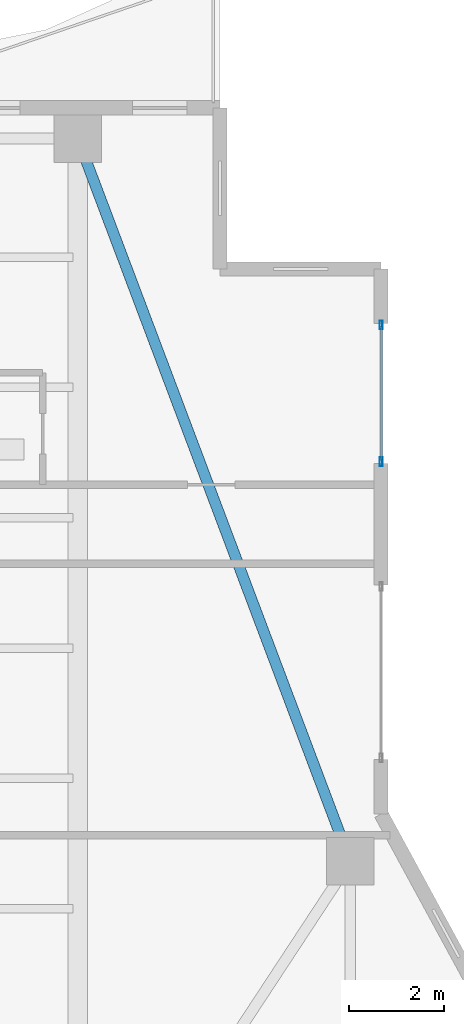
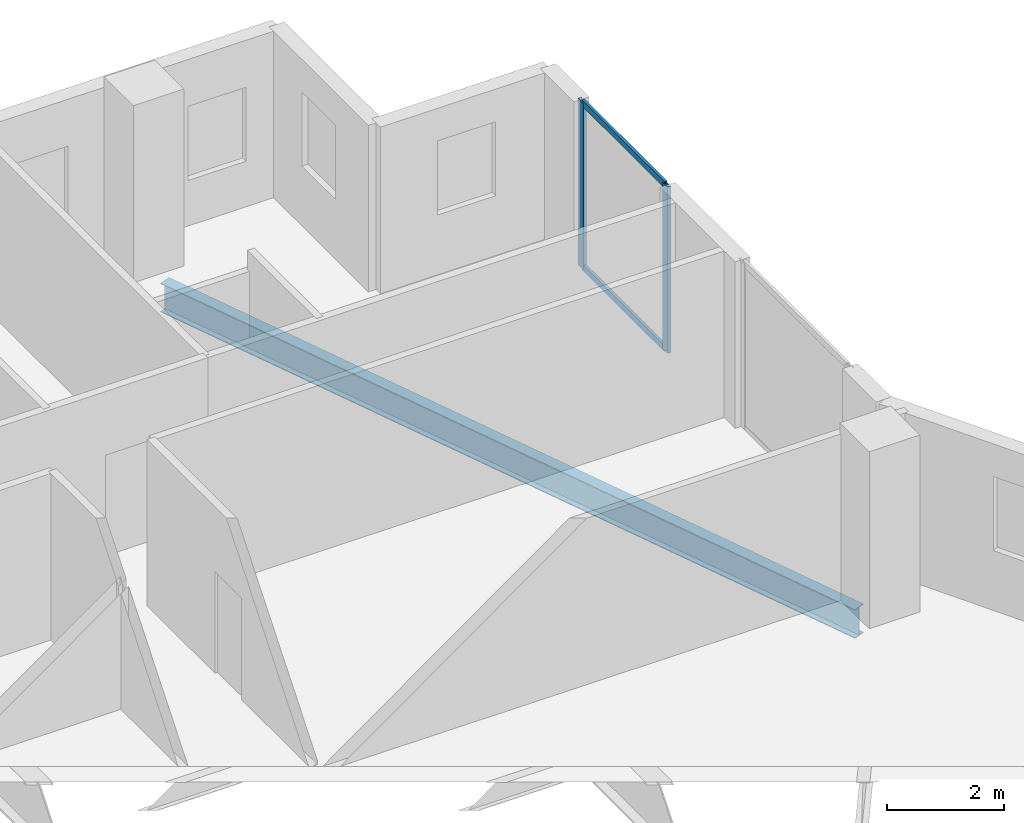
# One storey, part 15 of 24: 4 members, 1 beam, 1 element without a shape of its own.
"""IFC4 building model written with IfcOpenShell, lengths in metres."""

from ifc_helpers import new_model, si_unit, direction, frame, origin, origin_2d, place, context, subcontext, project, spatial, hollow_rectangle, i_section, extrude, material, layer, layer_set, material_profile, profile_set, type_object, element, aggregate, save


model = new_model("IFC4")

# Units and contexts
model_context = context("Model", 3, precision=1e-05, world=origin(), true_north=direction((0.0, 1.0)))
body_context = subcontext(model_context, "Body", "Model", "MODEL_VIEW")
ifc_project = project(units=[si_unit("LENGTHUNIT", "METRE"), si_unit("AREAUNIT", "SQUARE_METRE"), si_unit("VOLUMEUNIT", "CUBIC_METRE"), si_unit("PLANEANGLEUNIT", "RADIAN"), si_unit("MASSUNIT", "GRAM", prefix="KILO")], contexts=[model_context])

# Site, building, storey
site_placement = place(None, origin())
site = spatial("IfcSite", under=ifc_project, at=site_placement, CompositionType="ELEMENT")
building_placement = place(site_placement, origin())
building = spatial("IfcBuilding", under=site, at=building_placement, Name="Zuhayl Quay Hotel", CompositionType="ELEMENT")
storey_placement = place(building_placement, frame((0.0, 0.0, 276.64990234375)))
storey = spatial("IfcBuildingStorey", under=building, at=storey_placement, Name="L70", CompositionType="ELEMENT", Elevation=276.64990234375)

# Beam
ifc_material_1 = material(Name="Steel ASTM A992 Grade 50", Category="steel")
ifc_material_profile_1 = material_profile(ifc_material_1, i_section(OverallWidth=0.22802734375, OverallDepth=0.60693359375, WebThickness=0.01123046875, FlangeThickness=0.017333984375, at=origin_2d()), Name="W24X76")
ifc_profile_set_1 = profile_set([ifc_material_profile_1], Name="Steel ASTM A992 Grade 50")
beam_type = type_object("IfcBeamType", Name="BM_B3_W24X76", PredefinedType="BEAM", material=ifc_profile_set_1)
beam_placement = place(storey_placement, frame((19.3876953125, 23.530517578125, -0.5234375), z_axis=(-0.352796603103, 0.935700035716, 0.0), x_axis=(-0.935700035716, -0.352796603103, 0.0)))
element("IfcBeam", 1, at=beam_placement, inside=storey, type_object=beam_type, Name="L70 Floor Beam RG_L70_06", PredefinedType="BEAM", context=body_context, shape_type="SweptSolid", body=[
    extrude(i_section(OverallWidth=0.22802734375, OverallDepth=0.60693359375, WebThickness=0.01123046875, FlangeThickness=0.017333984375, at=origin_2d()), origin(), (0.0, 0.0, 1.0), 15.3779296875),
])

# Curtain wall, members
ifc_material_2 = material(Name="Anodised Aluminium 6063-T6", Category="aluminium")
ifc_layer = layer(ifc_material_2, 0.169921875, Name="Anodised Aluminium 6063-T6", Category="aluminium")
ifc_layer_set = layer_set([ifc_layer], Name="Anodised Aluminium 6063-T6")
curtain_wall_type = type_object("IfcCurtainWallType", Name="CW_SYS_Z4", PredefinedType="USERDEFINED", material=ifc_layer_set)
curtain_wall_placement = place(storey_placement, origin())
curtain_wall = element("IfcCurtainWall", 2, at=curtain_wall_placement, inside=storey, type_object=curtain_wall_type, Name="L70 Curtain Wall ENV_L70_E11_CW1", ObjectType="UNITISED CURTAIN WALL", PredefinedType="USERDEFINED")
ifc_material_3 = material(Name="Black-anodised aluminium 6063-T6", Category="aluminium")
ifc_material_profile_2 = material_profile(ifc_material_3, hollow_rectangle(XDim=0.06494140625, YDim=0.179931640625, WallThickness=0.00341796875, at=origin_2d()), Name="ALU180X65")
ifc_profile_set_2 = profile_set([ifc_material_profile_2], Name="Black-anodised aluminium 6063-T6")
member_type_1 = type_object("IfcMemberType", Name="MB_CW_MUL_180", PredefinedType="MULLION", material=ifc_profile_set_2)
member_1_placement = place(storey_placement, frame((20.199951171875, 34.41748046875, 0.0), z_axis=(0.0, 0.0, 1.0), x_axis=(1.0, 0.0, 0.0)))
member_1 = element("IfcMember", 3, at=member_1_placement, type_object=member_type_1, Name="CW-Z4 mullion 1", PredefinedType="MULLION", context=body_context, shape_type="SweptSolid", body=[
    extrude(hollow_rectangle(XDim=0.06494140625, YDim=0.179931640625, WallThickness=0.00341796875, at=origin_2d()), origin(), (0.0, 0.0, 1.0), 3.47998046875),
])
member_2_placement = place(storey_placement, frame((20.199951171875, 31.532470703125, 0.0), z_axis=(0.0, 0.0, 1.0), x_axis=(1.0, 0.0, 0.0)))
member_2 = element("IfcMember", 4, at=member_2_placement, type_object=member_type_1, Name="CW-Z4 mullion 2", PredefinedType="MULLION", context=body_context, shape_type="SweptSolid", body=[
    extrude(hollow_rectangle(XDim=0.06494140625, YDim=0.179931640625, WallThickness=0.00341796875, at=origin_2d()), origin(), (0.0, 0.0, 1.0), 3.47998046875),
])
ifc_material_profile_3 = material_profile(ifc_material_3, hollow_rectangle(XDim=0.054931640625, YDim=0.1298828125, WallThickness=0.0029296875, at=origin_2d()), Name="ALU130X55")
ifc_profile_set_3 = profile_set([ifc_material_profile_3], Name="Black-anodised aluminium 6063-T6")
member_type_2 = type_object("IfcMemberType", Name="MB_CW_TRN_130", PredefinedType="USERDEFINED", material=ifc_profile_set_3)
member_3_placement = place(storey_placement, frame((20.199951171875, 34.385009765625, 0.027587890625), z_axis=(0.0, -1.0, 0.0), x_axis=(1.0, 0.0, 0.0)))
member_3 = element("IfcMember", 5, at=member_3_placement, type_object=member_type_2, Name="CW-Z4 transom 1.1", ObjectType="TRANSOM", PredefinedType="USERDEFINED", context=body_context, shape_type="SweptSolid", body=[
    extrude(hollow_rectangle(XDim=0.054931640625, YDim=0.1298828125, WallThickness=0.0029296875, at=origin_2d()), origin(), (0.0, 0.0, 1.0), 2.820068359375),
])
member_4_placement = place(storey_placement, frame((20.199951171875, 34.385009765625, 3.45263671875), z_axis=(0.0, -1.0, 0.0), x_axis=(1.0, 0.0, 0.0)))
member_4 = element("IfcMember", 6, at=member_4_placement, type_object=member_type_2, Name="CW-Z4 transom 1.2", ObjectType="TRANSOM", PredefinedType="USERDEFINED", context=body_context, shape_type="SweptSolid", body=[
    extrude(hollow_rectangle(XDim=0.054931640625, YDim=0.1298828125, WallThickness=0.0029296875, at=origin_2d()), origin(), (0.0, 0.0, 1.0), 2.820068359375),
])
aggregate(curtain_wall, [member_1, member_2, member_3, member_4])

save(model, "model.ifc")
